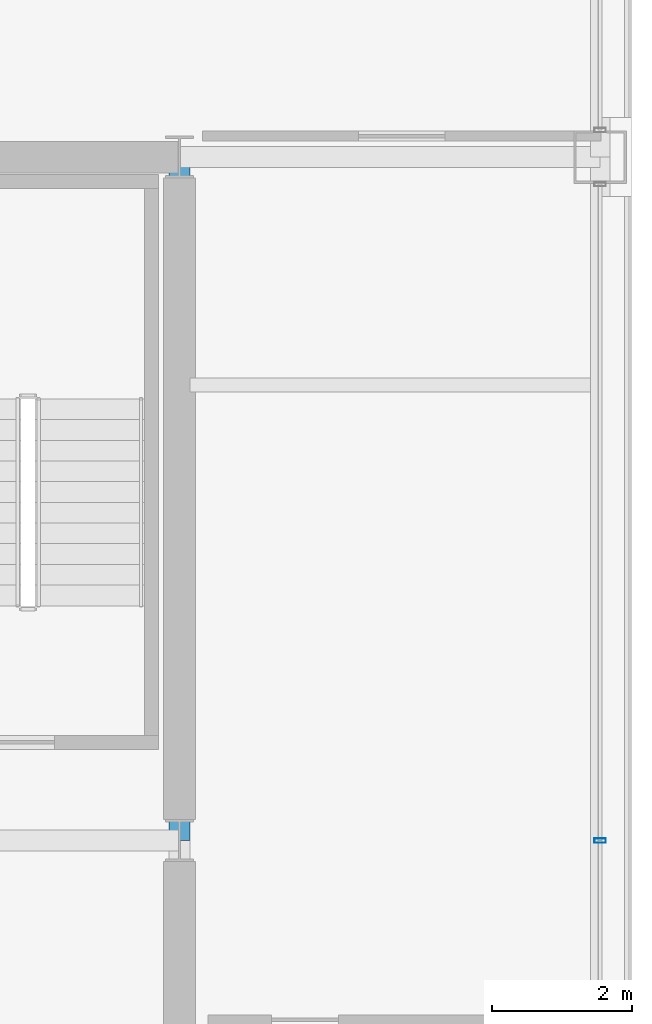
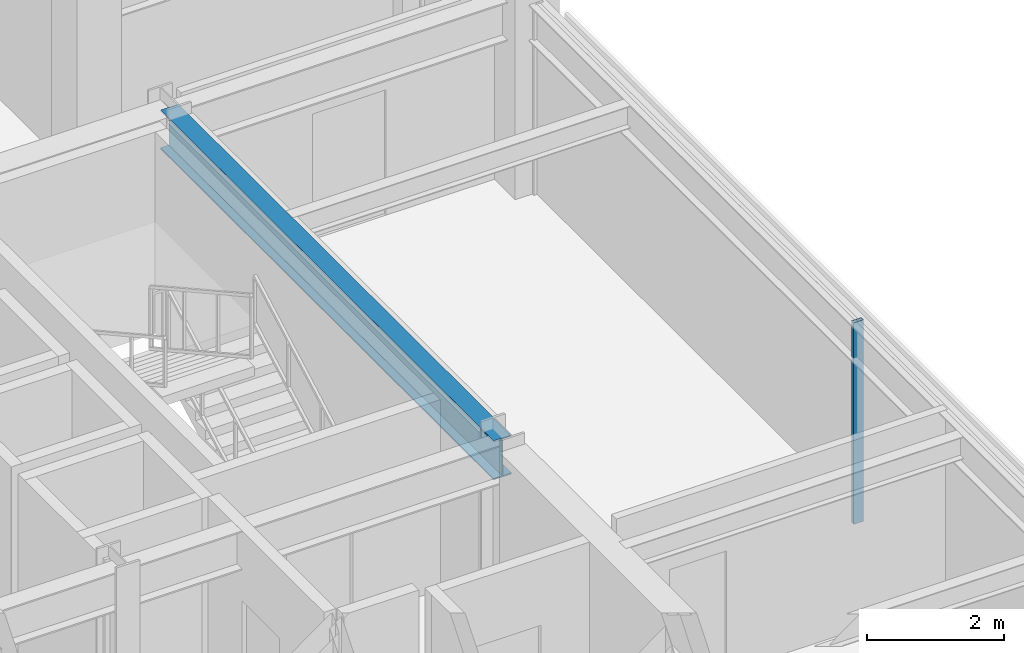
# One storey, part 15 of 28: 1 beam, 1 member, 1 element without a shape of its own.
"""IFC4 building model written with IfcOpenShell, lengths in metres."""

from ifc_helpers import new_model, si_unit, direction, frame, origin, origin_2d, place, context, subcontext, project, spatial, hollow_rectangle, i_section, extrude, material, layer, layer_set, material_profile, profile_set, type_object, element, aggregate, save


model = new_model("IFC4")

# Units and contexts
model_context = context("Model", 3, precision=1e-05, world=origin(), true_north=direction((0.0, 1.0)))
body_context = subcontext(model_context, "Body", "Model", "MODEL_VIEW")
ifc_project = project(units=[si_unit("LENGTHUNIT", "METRE"), si_unit("AREAUNIT", "SQUARE_METRE"), si_unit("VOLUMEUNIT", "CUBIC_METRE"), si_unit("PLANEANGLEUNIT", "RADIAN"), si_unit("MASSUNIT", "GRAM", prefix="KILO")], contexts=[model_context])

# Site, building, storey
site_placement = place(None, origin())
site = spatial("IfcSite", under=ifc_project, at=site_placement, CompositionType="ELEMENT")
building_placement = place(site_placement, origin())
building = spatial("IfcBuilding", under=site, at=building_placement, Name="Brelmoor Portico Tower", CompositionType="ELEMENT")
storey_placement = place(building_placement, frame((0.0, 0.0, 155.10009765625)))
storey = spatial("IfcBuildingStorey", under=building, at=storey_placement, Name="L40", CompositionType="ELEMENT", Elevation=155.10009765625)

# Beam
ifc_material_1 = material(Name="Steel Q355B", Category="steel")
ifc_material_profile_1 = material_profile(ifc_material_1, i_section(OverallWidth=0.300048828125, OverallDepth=0.699951171875, WebThickness=0.012939453125, FlangeThickness=0.02392578125, at=origin_2d()), Name="HN 700x300x13x24")
ifc_profile_set_1 = profile_set([ifc_material_profile_1], Name="Steel Q355B")
beam_type = type_object("IfcBeamType", Name="BM-PG-700", PredefinedType="BEAM", material=ifc_profile_set_1)
beam_placement = place(storey_placement, frame((14.550048828125, 0.0, 3.0498046875), z_axis=(0.0, 1.0, 0.0), x_axis=(-1.0, 0.0, 0.0)))
element("IfcBeam", 1, at=beam_placement, inside=storey, type_object=beam_type, Name="L40 Primary Floor Girder PG-09", PredefinedType="BEAM", context=body_context, shape_type="SweptSolid", body=[
    extrude(i_section(OverallWidth=0.300048828125, OverallDepth=0.699951171875, WebThickness=0.012939453125, FlangeThickness=0.02392578125, at=origin_2d()), origin(), (0.0, 0.0, 1.0), 9.75),
])

# Curtain wall, member
ifc_material_2 = material(Name="Anodised Aluminium Alloy 6063-T6", Category="aluminium")
ifc_layer = layer(ifc_material_2, 0.179931640625)
ifc_layer_set = layer_set([ifc_layer], Name="Anodised Aluminium Alloy 6063-T6")
curtain_wall_type = type_object("IfcCurtainWallType", Name="CW-TOWER-Z3-XB", PredefinedType="NOTDEFINED", material=ifc_layer_set)
curtain_wall_placement = place(storey_placement, origin())
curtain_wall = element("IfcCurtainWall", 2, at=curtain_wall_placement, inside=storey, type_object=curtain_wall_type, Name="L40 Curtain Wall CW-L40-04-2", PredefinedType="NOTDEFINED")
ifc_material_profile_2 = material_profile(ifc_material_2, hollow_rectangle(XDim=0.06494140625, YDim=0.1650390625, WallThickness=0.00390625, at=origin_2d()), Name="ALU MULLION 65x165")
ifc_profile_set_2 = profile_set([ifc_material_profile_2], Name="Anodised Aluminium Alloy 6063-T6")
member_type = type_object("IfcMemberType", Name="MB-CW-MULL-165", PredefinedType="MULLION", material=ifc_profile_set_2)
member_placement = place(storey_placement, frame((20.550048828125, 0.0, -0.2001953125), z_axis=(0.0, 0.0, 1.0), x_axis=(0.0, 1.0, 0.0)))
member = element("IfcMember", 3, at=member_placement, type_object=member_type, Name="CW-L40-04-2 Mullion 01", PredefinedType="MULLION", context=body_context, shape_type="SweptSolid", body=[
    extrude(hollow_rectangle(XDim=0.06494140625, YDim=0.1650390625, WallThickness=0.00390625, at=origin_2d()), origin(), (0.0, 0.0, 1.0), 3.60009765625),
])
aggregate(curtain_wall, [member])

save(model, "model.ifc")
